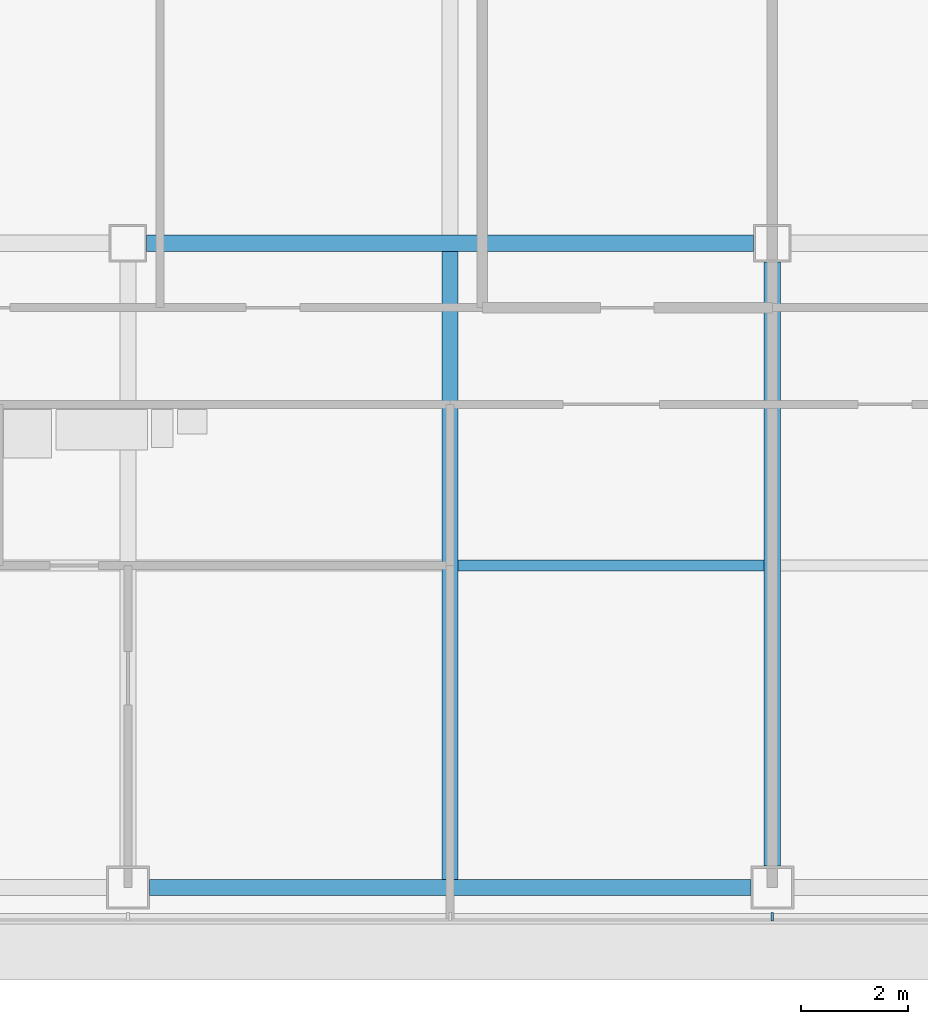
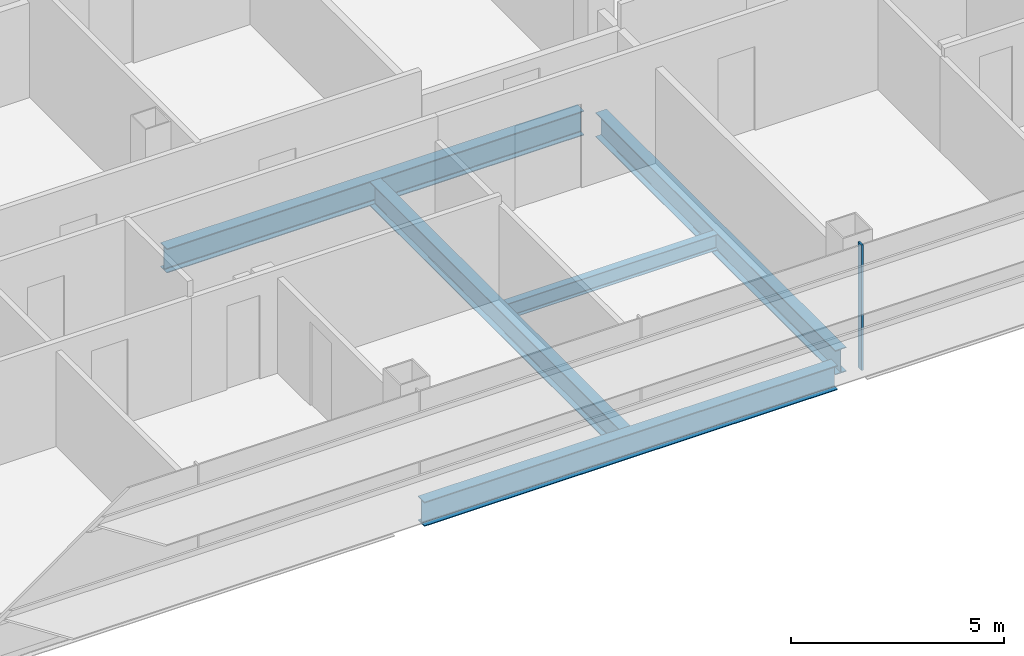
# One storey, part 3 of 25: 5 beams, 1 member, 1 element without a shape of its own.
"""IFC4 building model written with IfcOpenShell, lengths in metres."""

from ifc_helpers import new_model, si_unit, direction, frame, origin, origin_2d, place, context, subcontext, project, spatial, rectangle, i_section, extrude, material, material_profile, profile_set, type_object, element, aggregate, save


model = new_model("IFC4")

# Units and contexts
model_context = context("Model", 3, precision=1e-05, world=origin(), true_north=direction((0.0, 1.0)))
body_context = subcontext(model_context, "Body", "Model", "MODEL_VIEW")
ifc_project = project(units=[si_unit("LENGTHUNIT", "METRE"), si_unit("AREAUNIT", "SQUARE_METRE"), si_unit("VOLUMEUNIT", "CUBIC_METRE"), si_unit("PLANEANGLEUNIT", "RADIAN"), si_unit("MASSUNIT", "GRAM", prefix="KILO")], contexts=[model_context])

# Site, building, storey
site_placement = place(None, origin())
site = spatial("IfcSite", under=ifc_project, at=site_placement, CompositionType="ELEMENT")
building_placement = place(site_placement, origin())
building = spatial("IfcBuilding", under=site, at=building_placement, Name="Sorahane Residences", CompositionType="ELEMENT")
storey_placement = place(building_placement, frame((0.0, 0.0, 126.800048828125)))
storey = spatial("IfcBuildingStorey", under=building, at=storey_placement, Name="L28", CompositionType="ELEMENT", Elevation=126.800048828125)

# Curtain wall, member
ifc_material_1 = material(Name="Dark low-e glass and black anodised aluminium", Category="aluminium")
curtain_wall_type = type_object("IfcCurtainWallType", Name="Curtain wall CW-1 Typical unitised wall", PredefinedType="NOTDEFINED", material=ifc_material_1)
curtain_wall_placement = place(storey_placement, origin())
curtain_wall = element("IfcCurtainWall", 1, at=curtain_wall_placement, inside=storey, type_object=curtain_wall_type, Name="CW-1 curtain wall L28 S1", PredefinedType="NOTDEFINED")
ifc_material_2 = material(Name="Black anodised aluminium", Category="aluminium")
ifc_material_profile_1 = material_profile(ifc_material_2, rectangle(XDim=0.159912109375, YDim=0.050048828125, at=origin_2d()), Name="Curtain wall mullion CW-1 black anodised aluminium 50x160")
ifc_profile_set_1 = profile_set([ifc_material_profile_1], Name="Black anodised aluminium")
member_type = type_object("IfcMemberType", Name="Curtain wall mullion CW-1 black anodised aluminium 50x160", PredefinedType="MULLION", material=ifc_profile_set_1)
member_placement = place(storey_placement, frame((24.0, -0.5400390625, -0.179931640625), z_axis=(0.0, 0.0, 1.0), x_axis=(0.0, -1.0, 0.0)))
member = element("IfcMember", 2, at=member_placement, type_object=member_type, Name="CW-1 mullion L28 S1.5", PredefinedType="MULLION", context=body_context, shape_type="SweptSolid", body=[
    extrude(rectangle(XDim=0.159912109375, YDim=0.050048828125, at=origin_2d()), origin(), (0.0, 0.0, 1.0), 3.599853515625),
])
aggregate(curtain_wall, [member])

# Beams
ifc_material_3 = material(Name="Steel Q355B", Category="steel")
ifc_material_profile_2 = material_profile(ifc_material_3, i_section(OverallWidth=0.199951171875, OverallDepth=0.449951171875, WebThickness=0.009033203125, FlangeThickness=0.013916015625, FilletRadius=0.02001953125, at=origin_2d()), Name="HN 450x200x9x14")
ifc_profile_set_2 = profile_set([ifc_material_profile_2], Name="Steel Q355B")
beam_type_1 = type_object("IfcBeamType", Name="Steel floor beam HN 450x200x9x14 Q355B", PredefinedType="BEAM", material=ifc_profile_set_2)
beam_1_placement = place(storey_placement, frame((18.14990234375, 6.0, -0.405029296875), z_axis=(1.0, 0.0, 0.0), x_axis=(0.0, 1.0, 0.0)))
element("IfcBeam", 3, at=beam_1_placement, inside=storey, type_object=beam_type_1, Name="Beam L28 072", PredefinedType="BEAM", context=body_context, shape_type="SweptSolid", body=[
    extrude(i_section(OverallWidth=0.199951171875, OverallDepth=0.449951171875, WebThickness=0.009033203125, FlangeThickness=0.013916015625, FilletRadius=0.02001953125, at=origin_2d()), origin(), (0.0, 0.0, 1.0), 5.7001953125),
])
ifc_material_4 = material(Name="Steel Q355B", Category="steel")
ifc_material_profile_3 = material_profile(ifc_material_4, i_section(OverallWidth=0.300048828125, OverallDepth=0.699951171875, WebThickness=0.012939453125, FlangeThickness=0.02392578125, FilletRadius=0.028076171875, at=origin_2d()), Name="HN 700x300x13x24")
ifc_profile_set_3 = profile_set([ifc_material_profile_3], Name="Steel Q355B")
beam_type_2 = type_object("IfcBeamType", Name="Steel floor beam HN 700x300x13x24 Q355B", PredefinedType="BEAM", material=ifc_profile_set_3)
beam_2_placement = place(storey_placement, frame((12.39990234375, 0.0, -0.530029296875), z_axis=(1.0, 0.0, 0.0), x_axis=(0.0, 1.0, 0.0)))
element("IfcBeam", 4, at=beam_2_placement, inside=storey, type_object=beam_type_2, Name="Beam L28 001", PredefinedType="BEAM", context=body_context, shape_type="SweptSolid", body=[
    extrude(i_section(OverallWidth=0.300048828125, OverallDepth=0.699951171875, WebThickness=0.012939453125, FlangeThickness=0.02392578125, FilletRadius=0.028076171875, at=origin_2d()), origin(), (0.0, 0.0, 1.0), 11.2001953125),
])
beam_3_placement = place(storey_placement, frame((12.35009765625, 12.0, -0.530029296875), z_axis=(1.0, 0.0, 0.0), x_axis=(0.0, 1.0, 0.0)))
element("IfcBeam", 5, at=beam_3_placement, inside=storey, type_object=beam_type_2, Name="Beam L28 007", PredefinedType="BEAM", context=body_context, shape_type="SweptSolid", body=[
    extrude(i_section(OverallWidth=0.300048828125, OverallDepth=0.699951171875, WebThickness=0.012939453125, FlangeThickness=0.02392578125, FilletRadius=0.028076171875, at=origin_2d()), origin(), (0.0, 0.0, 1.0), 11.2998046875),
])
beam_4_placement = place(storey_placement, frame((18.0, 0.14990234375, -0.530029296875), z_axis=(0.0, 1.0, 0.0), x_axis=(-1.0, 0.0, 0.0)))
element("IfcBeam", 6, at=beam_4_placement, inside=storey, type_object=beam_type_2, Name="Beam L28 036", PredefinedType="BEAM", context=body_context, shape_type="SweptSolid", body=[
    extrude(i_section(OverallWidth=0.300048828125, OverallDepth=0.699951171875, WebThickness=0.012939453125, FlangeThickness=0.02392578125, FilletRadius=0.028076171875, at=origin_2d()), origin(), (0.0, 0.0, 1.0), 11.7001953125),
])
beam_5_placement = place(storey_placement, frame((24.0, 0.39990234375, -0.530029296875), z_axis=(0.0, 1.0, 0.0), x_axis=(-1.0, 0.0, 0.0)))
element("IfcBeam", 7, at=beam_5_placement, inside=storey, type_object=beam_type_2, Name="Beam L28 042", PredefinedType="BEAM", context=body_context, shape_type="SweptSolid", body=[
    extrude(i_section(OverallWidth=0.300048828125, OverallDepth=0.699951171875, WebThickness=0.012939453125, FlangeThickness=0.02392578125, FilletRadius=0.028076171875, at=origin_2d()), origin(), (0.0, 0.0, 1.0), 11.25),
])

save(model, "model.ifc")
